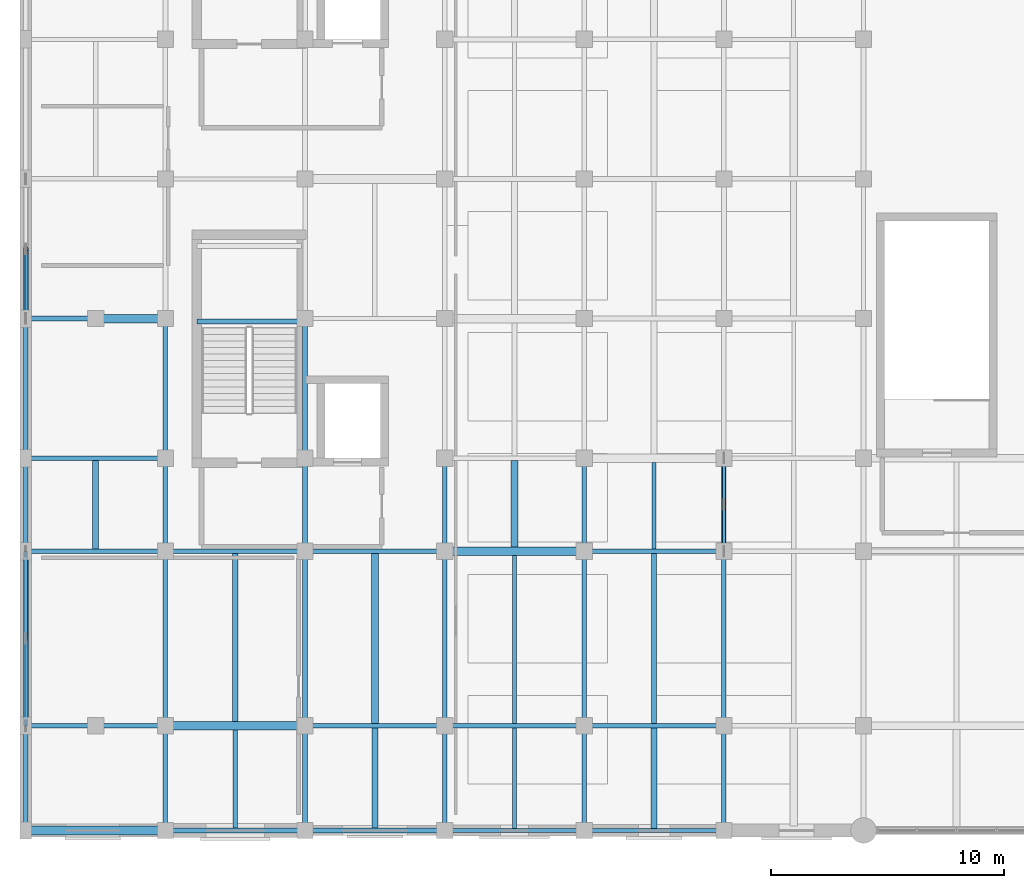
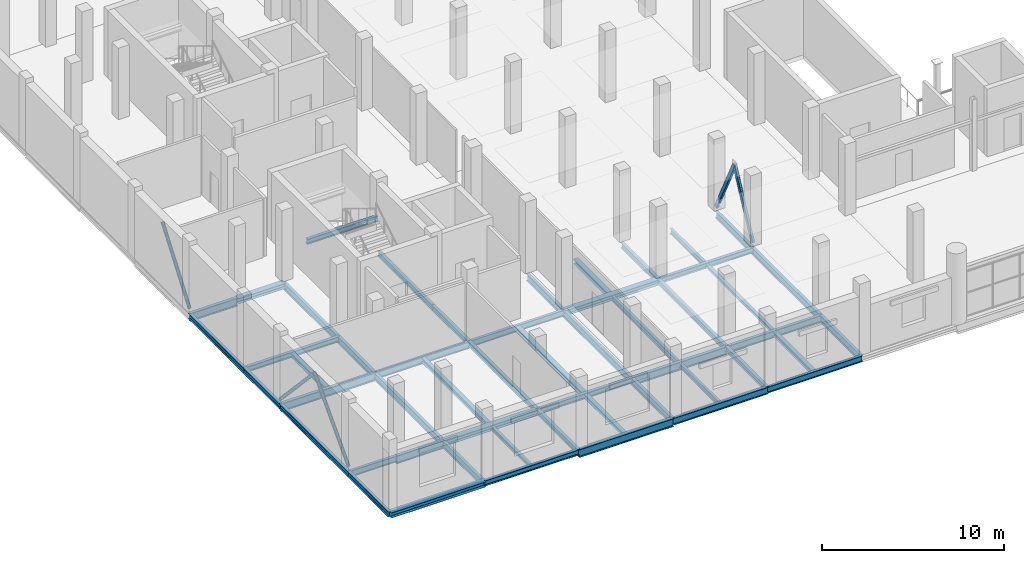
# One storey, part 12 of 114: 52 beams, 5 members.
"""IFC4 building model written with IfcOpenShell, lengths in metres."""

from ifc_helpers import new_model, si_unit, direction, frame, origin, origin_2d, place, context, subcontext, project, spatial, hollow_rectangle, hollow_circle, i_section, extrude, material, material_profile, profile_set, type_object, element, save


model = new_model("IFC4")

# Units and contexts
model_context = context("Model", 3, precision=1e-05, world=origin(), true_north=direction((0.0, 1.0)))
body_context = subcontext(model_context, "Body", "Model", "MODEL_VIEW")
ifc_project = project(units=[si_unit("LENGTHUNIT", "METRE"), si_unit("AREAUNIT", "SQUARE_METRE"), si_unit("VOLUMEUNIT", "CUBIC_METRE"), si_unit("PLANEANGLEUNIT", "RADIAN"), si_unit("MASSUNIT", "GRAM", prefix="KILO")], contexts=[model_context])

# Site, building, storey
site_placement = place(None, origin())
site = spatial("IfcSite", under=ifc_project, at=site_placement, CompositionType="ELEMENT")
building_placement = place(site_placement, origin())
building = spatial("IfcBuilding", under=site, at=building_placement, Name="Verrall Gate Interchange", CompositionType="ELEMENT")
storey_placement = place(building_placement, frame((0.0, 0.0, 6.60009765625)))
storey = spatial("IfcBuildingStorey", under=building, at=storey_placement, Name="L02", CompositionType="ELEMENT", Elevation=6.60009765625)

# Beams
ifc_material_1 = material(Name="Structural Steel CSA G40.21 350W", Category="steel")
ifc_material_profile_1 = material_profile(ifc_material_1, i_section(OverallWidth=0.2109375, OverallDepth=0.5390625, WebThickness=0.01171875, FlangeThickness=0.018798828125, FilletRadius=0.013916015625, at=origin_2d()), Name="W530x109")
ifc_profile_set_1 = profile_set([ifc_material_profile_1], Name="Structural Steel CSA G40.21 350W")
beam_type_1 = type_object("IfcBeamType", Name="B-10 Structural Beam W530x109", PredefinedType="BEAM", material=ifc_profile_set_1)
beam_1_placement = place(storey_placement, frame((12.0, 0.0, -0.549560546875), z_axis=(1.0, 0.0, 0.0), x_axis=(0.0, 1.0, 0.0)))
element("IfcBeam", 1, at=beam_1_placement, inside=storey, type_object=beam_type_1, Name="L02 Girder BM-L02-1437 (B-10)", PredefinedType="BEAM", context=body_context, shape_type="SweptSolid", body=[
    extrude(i_section(OverallWidth=0.2109375, OverallDepth=0.5390625, WebThickness=0.01171875, FlangeThickness=0.018798828125, FilletRadius=0.013916015625, at=origin_2d()), origin(), (0.0, 0.0, 1.0), 6.0),
])
beam_2_placement = place(storey_placement, frame((3.0, 4.5, -0.549560546875), z_axis=(1.0, 0.0, 0.0), x_axis=(0.0, 1.0, 0.0)))
element("IfcBeam", 2, at=beam_2_placement, inside=storey, type_object=beam_type_1, Name="L02 Girder BM-L02-1451 (B-10)", PredefinedType="BEAM", context=body_context, shape_type="SweptSolid", body=[
    extrude(i_section(OverallWidth=0.2109375, OverallDepth=0.5390625, WebThickness=0.01171875, FlangeThickness=0.018798828125, FilletRadius=0.013916015625, at=origin_2d()), origin(), (0.0, 0.0, 1.0), 3.0),
])
for number, where, z_axis, x_axis, name in (
    (3, (18.0, 4.5, -0.549560546875), (1.0, 0.0, 0.0), (0.0, 1.0, 0.0), "L02 Girder BM-L02-1454 (B-10)"),
    (4, (0.0, 12.0, -0.549560546875), (1.0, 0.0, 0.0), (0.0, 1.0, 0.0), "L02 Girder BM-L02-1466 (B-10)"),
):
    element("IfcBeam", number, at=place(storey_placement, frame(where, z_axis=z_axis, x_axis=x_axis)), inside=storey, type_object=beam_type_1, Name=name, PredefinedType="BEAM", context=body_context, shape_type="SweptSolid", body=[
        extrude(i_section(OverallWidth=0.2109375, OverallDepth=0.5390625, WebThickness=0.01171875, FlangeThickness=0.018798828125, FilletRadius=0.013916015625, at=origin_2d()), origin(), (0.0, 0.0, 1.0), 6.0),
    ])
beam_3_placement = place(storey_placement, frame((0.0, 22.0, -0.549560546875), z_axis=(1.0, 0.0, 0.0), x_axis=(0.0, 1.0, 0.0)))
element("IfcBeam", 5, at=beam_3_placement, inside=storey, type_object=beam_type_1, Name="L02 Girder BM-L02-1504 (B-10)", PredefinedType="BEAM", context=body_context, shape_type="SweptSolid", body=[
    extrude(i_section(OverallWidth=0.2109375, OverallDepth=0.5390625, WebThickness=0.01171875, FlangeThickness=0.018798828125, FilletRadius=0.013916015625, at=origin_2d()), origin(), (0.0, 0.0, 1.0), 3.0),
])
ifc_material_2 = material(Name="Structural Steel CSA G40.21 350W", Category="steel")
ifc_material_profile_2 = material_profile(ifc_material_2, i_section(OverallWidth=0.19189453125, OverallDepth=0.462890625, WebThickness=0.010498046875, FlangeThickness=0.017578125, FilletRadius=0.012939453125, at=origin_2d()), Name="W460x89")
ifc_profile_set_2 = profile_set([ifc_material_profile_2], Name="Structural Steel CSA G40.21 350W")
beam_type_2 = type_object("IfcBeamType", Name="B-11 Structural Beam W460x89", PredefinedType="BEAM", material=ifc_profile_set_2)
for number, where, z_axis, x_axis, name in (
    (6, (18.0, 0.0, -0.51171875), (1.0, 0.0, 0.0), (0.0, 1.0, 0.0), "L02 Girder BM-L02-1438 (B-11)"),
    (7, (24.0, 4.5, -0.51171875), (1.0, 0.0, 0.0), (0.0, 1.0, 0.0), "L02 Girder BM-L02-1455 (B-11)"),
    (8, (6.0, 12.0, -0.51171875), (1.0, 0.0, 0.0), (0.0, 1.0, 0.0), "L02 Girder BM-L02-1467 (B-11)"),
):
    element("IfcBeam", number, at=place(storey_placement, frame(where, z_axis=z_axis, x_axis=x_axis)), inside=storey, type_object=beam_type_2, Name=name, PredefinedType="BEAM", context=body_context, shape_type="SweptSolid", body=[
        extrude(i_section(OverallWidth=0.19189453125, OverallDepth=0.462890625, WebThickness=0.010498046875, FlangeThickness=0.017578125, FilletRadius=0.012939453125, at=origin_2d()), origin(), (0.0, 0.0, 1.0), 6.0),
    ])
beam_4_placement = place(storey_placement, frame((6.0, 0.0, -0.51171875), z_axis=(0.0, 1.0, 0.0), x_axis=(-1.0, 0.0, 0.0)))
element("IfcBeam", 9, at=beam_4_placement, inside=storey, type_object=beam_type_2, Name="L02 Girder BM-L02-1648 (B-11)", PredefinedType="BEAM", context=body_context, shape_type="SweptSolid", body=[
    extrude(i_section(OverallWidth=0.19189453125, OverallDepth=0.462890625, WebThickness=0.010498046875, FlangeThickness=0.017578125, FilletRadius=0.012939453125, at=origin_2d()), origin(), (0.0, 0.0, 1.0), 4.5),
])
beam_5_placement = place(storey_placement, frame((6.0, 4.5, -0.51171875), z_axis=(0.0, 1.0, 0.0), x_axis=(-1.0, 0.0, 0.0)))
element("IfcBeam", 10, at=beam_5_placement, inside=storey, type_object=beam_type_2, Name="L02 Girder BM-L02-1649 (B-11)", PredefinedType="BEAM", context=body_context, shape_type="SweptSolid", body=[
    extrude(i_section(OverallWidth=0.19189453125, OverallDepth=0.462890625, WebThickness=0.010498046875, FlangeThickness=0.017578125, FilletRadius=0.012939453125, at=origin_2d()), origin(), (0.0, 0.0, 1.0), 7.5),
])
beam_6_placement = place(storey_placement, frame((6.0, 12.0, -0.51171875), z_axis=(0.0, 1.0, 0.0), x_axis=(-1.0, 0.0, 0.0)))
element("IfcBeam", 11, at=beam_6_placement, inside=storey, type_object=beam_type_2, Name="L02 Girder BM-L02-1650 (B-11)", PredefinedType="BEAM", context=body_context, shape_type="SweptSolid", body=[
    extrude(i_section(OverallWidth=0.19189453125, OverallDepth=0.462890625, WebThickness=0.010498046875, FlangeThickness=0.017578125, FilletRadius=0.012939453125, at=origin_2d()), origin(), (0.0, 0.0, 1.0), 4.0),
])
beam_7_placement = place(storey_placement, frame((6.0, 16.0, -0.51171875), z_axis=(0.0, 1.0, 0.0), x_axis=(-1.0, 0.0, 0.0)))
element("IfcBeam", 12, at=beam_7_placement, inside=storey, type_object=beam_type_2, Name="L02 Girder BM-L02-1651 (B-11)", PredefinedType="BEAM", context=body_context, shape_type="SweptSolid", body=[
    extrude(i_section(OverallWidth=0.19189453125, OverallDepth=0.462890625, WebThickness=0.010498046875, FlangeThickness=0.017578125, FilletRadius=0.012939453125, at=origin_2d()), origin(), (0.0, 0.0, 1.0), 6.0),
])
beam_8_placement = place(storey_placement, frame((18.0, 0.0, -0.51171875), z_axis=(0.0, 1.0, 0.0), x_axis=(-1.0, 0.0, 0.0)))
element("IfcBeam", 13, at=beam_8_placement, inside=storey, type_object=beam_type_2, Name="L02 Girder BM-L02-1676 (B-11)", PredefinedType="BEAM", context=body_context, shape_type="SweptSolid", body=[
    extrude(i_section(OverallWidth=0.19189453125, OverallDepth=0.462890625, WebThickness=0.010498046875, FlangeThickness=0.017578125, FilletRadius=0.012939453125, at=origin_2d()), origin(), (0.0, 0.0, 1.0), 4.5),
])
beam_9_placement = place(storey_placement, frame((18.0, 4.5, -0.51171875), z_axis=(0.0, 1.0, 0.0), x_axis=(-1.0, 0.0, 0.0)))
element("IfcBeam", 14, at=beam_9_placement, inside=storey, type_object=beam_type_2, Name="L02 Girder BM-L02-1677 (B-11)", PredefinedType="BEAM", context=body_context, shape_type="SweptSolid", body=[
    extrude(i_section(OverallWidth=0.19189453125, OverallDepth=0.462890625, WebThickness=0.010498046875, FlangeThickness=0.017578125, FilletRadius=0.012939453125, at=origin_2d()), origin(), (0.0, 0.0, 1.0), 7.5),
])
beam_10_placement = place(storey_placement, frame((18.0, 12.0, -0.51171875), z_axis=(0.0, 1.0, 0.0), x_axis=(-1.0, 0.0, 0.0)))
element("IfcBeam", 15, at=beam_10_placement, inside=storey, type_object=beam_type_2, Name="L02 Girder BM-L02-1678 (B-11)", PredefinedType="BEAM", context=body_context, shape_type="SweptSolid", body=[
    extrude(i_section(OverallWidth=0.19189453125, OverallDepth=0.462890625, WebThickness=0.010498046875, FlangeThickness=0.017578125, FilletRadius=0.012939453125, at=origin_2d()), origin(), (0.0, 0.0, 1.0), 4.0),
])
beam_11_placement = place(storey_placement, frame((30.0, 0.0, -0.51171875), z_axis=(0.0, 1.0, 0.0), x_axis=(-1.0, 0.0, 0.0)))
element("IfcBeam", 16, at=beam_11_placement, inside=storey, type_object=beam_type_2, Name="L02 Girder BM-L02-1704 (B-11)", PredefinedType="BEAM", context=body_context, shape_type="SweptSolid", body=[
    extrude(i_section(OverallWidth=0.19189453125, OverallDepth=0.462890625, WebThickness=0.010498046875, FlangeThickness=0.017578125, FilletRadius=0.012939453125, at=origin_2d()), origin(), (0.0, 0.0, 1.0), 4.5),
])
beam_12_placement = place(storey_placement, frame((30.0, 4.5, -0.51171875), z_axis=(0.0, 1.0, 0.0), x_axis=(-1.0, 0.0, 0.0)))
element("IfcBeam", 17, at=beam_12_placement, inside=storey, type_object=beam_type_2, Name="L02 Girder BM-L02-1705 (B-11)", PredefinedType="BEAM", context=body_context, shape_type="SweptSolid", body=[
    extrude(i_section(OverallWidth=0.19189453125, OverallDepth=0.462890625, WebThickness=0.010498046875, FlangeThickness=0.017578125, FilletRadius=0.012939453125, at=origin_2d()), origin(), (0.0, 0.0, 1.0), 7.5),
])
beam_13_placement = place(storey_placement, frame((30.0, 12.0, -0.51171875), z_axis=(0.0, 1.0, 0.0), x_axis=(-1.0, 0.0, 0.0)))
element("IfcBeam", 18, at=beam_13_placement, inside=storey, type_object=beam_type_2, Name="L02 Girder BM-L02-1706 (B-11)", PredefinedType="BEAM", context=body_context, shape_type="SweptSolid", body=[
    extrude(i_section(OverallWidth=0.19189453125, OverallDepth=0.462890625, WebThickness=0.010498046875, FlangeThickness=0.017578125, FilletRadius=0.012939453125, at=origin_2d()), origin(), (0.0, 0.0, 1.0), 4.0),
])
ifc_material_3 = material(Name="Structural Steel CSA G40.21 350W", Category="steel")
ifc_material_profile_3 = material_profile(ifc_material_3, i_section(OverallWidth=0.178955078125, OverallDepth=0.409912109375, WebThickness=0.0087890625, FlangeThickness=0.014404296875, FilletRadius=0.011962890625, at=origin_2d()), Name="W410x67")
ifc_profile_set_3 = profile_set([ifc_material_profile_3], Name="Structural Steel CSA G40.21 350W")
beam_type_3 = type_object("IfcBeamType", Name="B-12 Structural Beam W410x67", PredefinedType="BEAM", material=ifc_profile_set_3)
beam_14_placement = place(storey_placement, frame((24.0, 0.0, -0.485107421875), z_axis=(1.0, 0.0, 0.0), x_axis=(0.0, 1.0, 0.0)))
element("IfcBeam", 19, at=beam_14_placement, inside=storey, type_object=beam_type_3, Name="L02 Girder BM-L02-1439 (B-12)", PredefinedType="BEAM", context=body_context, shape_type="SweptSolid", body=[
    extrude(i_section(OverallWidth=0.178955078125, OverallDepth=0.409912109375, WebThickness=0.0087890625, FlangeThickness=0.014404296875, FilletRadius=0.011962890625, at=origin_2d()), origin(), (0.0, 0.0, 1.0), 6.0),
])
beam_15_placement = place(storey_placement, frame((0.0, 4.5, -0.485107421875), z_axis=(1.0, 0.0, 0.0), x_axis=(0.0, 1.0, 0.0)))
element("IfcBeam", 20, at=beam_15_placement, inside=storey, type_object=beam_type_3, Name="L02 Girder BM-L02-1450 (B-12)", PredefinedType="BEAM", context=body_context, shape_type="SweptSolid", body=[
    extrude(i_section(OverallWidth=0.178955078125, OverallDepth=0.409912109375, WebThickness=0.0087890625, FlangeThickness=0.014404296875, FilletRadius=0.011962890625, at=origin_2d()), origin(), (0.0, 0.0, 1.0), 3.0),
])
beam_16_placement = place(storey_placement, frame((12.0, 12.0, -0.485107421875), z_axis=(1.0, 0.0, 0.0), x_axis=(0.0, 1.0, 0.0)))
element("IfcBeam", 21, at=beam_16_placement, inside=storey, type_object=beam_type_3, Name="L02 Girder BM-L02-1468 (B-12)", PredefinedType="BEAM", context=body_context, shape_type="SweptSolid", body=[
    extrude(i_section(OverallWidth=0.178955078125, OverallDepth=0.409912109375, WebThickness=0.0087890625, FlangeThickness=0.014404296875, FilletRadius=0.011962890625, at=origin_2d()), origin(), (0.0, 0.0, 1.0), 6.0),
])
ifc_material_4 = material(Name="Structural Steel CSA G40.21 350W", Category="steel")
ifc_material_profile_4 = material_profile(ifc_material_4, i_section(OverallWidth=0.368896484375, OverallDepth=0.35595703125, WebThickness=0.01123046875, FlangeThickness=0.01806640625, FilletRadius=0.014892578125, at=origin_2d()), Name="W360x134")
ifc_profile_set_4 = profile_set([ifc_material_profile_4], Name="Structural Steel CSA G40.21 350W")
beam_type_4 = type_object("IfcBeamType", Name="B-13 Structural Beam W360x134", PredefinedType="BEAM", material=ifc_profile_set_4)
for number, where, z_axis, x_axis, name in (
    (22, (0.0, 0.0, -0.4580078125), (1.0, 0.0, 0.0), (0.0, 1.0, 0.0), "L02 Girder BM-L02-1435 (B-13)"),
    (23, (6.0, 4.5, -0.4580078125), (1.0, 0.0, 0.0), (0.0, 1.0, 0.0), "L02 Girder BM-L02-1452 (B-13)"),
    (24, (18.0, 12.0, -0.4580078125), (1.0, 0.0, 0.0), (0.0, 1.0, 0.0), "L02 Girder BM-L02-1469 (B-13)"),
):
    element("IfcBeam", number, at=place(storey_placement, frame(where, z_axis=z_axis, x_axis=x_axis)), inside=storey, type_object=beam_type_4, Name=name, PredefinedType="BEAM", context=body_context, shape_type="SweptSolid", body=[
        extrude(i_section(OverallWidth=0.368896484375, OverallDepth=0.35595703125, WebThickness=0.01123046875, FlangeThickness=0.01806640625, FilletRadius=0.014892578125, at=origin_2d()), origin(), (0.0, 0.0, 1.0), 6.0),
    ])
beam_17_placement = place(storey_placement, frame((3.0, 22.0, -0.4580078125), z_axis=(1.0, 0.0, 0.0), x_axis=(0.0, 1.0, 0.0)))
element("IfcBeam", 25, at=beam_17_placement, inside=storey, type_object=beam_type_4, Name="L02 Girder BM-L02-1505 (B-13)", PredefinedType="BEAM", context=body_context, shape_type="SweptSolid", body=[
    extrude(i_section(OverallWidth=0.368896484375, OverallDepth=0.35595703125, WebThickness=0.01123046875, FlangeThickness=0.01806640625, FilletRadius=0.014892578125, at=origin_2d()), origin(), (0.0, 0.0, 1.0), 3.0),
])
ifc_material_5 = material(Name="Structural Steel CSA G40.21 350W", Category="steel")
ifc_material_profile_5 = material_profile(ifc_material_5, i_section(OverallWidth=0.205078125, OverallDepth=0.35400390625, WebThickness=0.009521484375, FlangeThickness=0.016845703125, FilletRadius=0.012939453125, at=origin_2d()), Name="W360x79")
ifc_profile_set_5 = profile_set([ifc_material_profile_5], Name="Structural Steel CSA G40.21 350W")
beam_type_5 = type_object("IfcBeamType", Name="B-14 Structural Beam W360x79", PredefinedType="BEAM", material=ifc_profile_set_5)
for number, where, z_axis, x_axis, name in (
    (26, (6.0, 0.0, -0.45703125), (1.0, 0.0, 0.0), (0.0, 1.0, 0.0), "L02 Girder BM-L02-1436 (B-14)"),
    (27, (12.0, 4.5, -0.45703125), (1.0, 0.0, 0.0), (0.0, 1.0, 0.0), "L02 Girder BM-L02-1453 (B-14)"),
    (28, (24.0, 12.0, -0.45703125), (1.0, 0.0, 0.0), (0.0, 1.0, 0.0), "L02 Girder BM-L02-1470 (B-14)"),
    (29, (0.0, 16.0, -0.45703125), (1.0, 0.0, 0.0), (0.0, 1.0, 0.0), "L02 Girder BM-L02-1487 (B-14)"),
):
    element("IfcBeam", number, at=place(storey_placement, frame(where, z_axis=z_axis, x_axis=x_axis)), inside=storey, type_object=beam_type_5, Name=name, PredefinedType="BEAM", context=body_context, shape_type="SweptSolid", body=[
        extrude(i_section(OverallWidth=0.205078125, OverallDepth=0.35400390625, WebThickness=0.009521484375, FlangeThickness=0.016845703125, FilletRadius=0.012939453125, at=origin_2d()), origin(), (0.0, 0.0, 1.0), 6.0),
    ])
beam_18_placement = place(storey_placement, frame((0.0, 0.0, -0.45703125), z_axis=(0.0, 1.0, 0.0), x_axis=(-1.0, 0.0, 0.0)))
element("IfcBeam", 30, at=beam_18_placement, inside=storey, type_object=beam_type_5, Name="L02 Girder BM-L02-1633 (B-14)", PredefinedType="BEAM", context=body_context, shape_type="SweptSolid", body=[
    extrude(i_section(OverallWidth=0.205078125, OverallDepth=0.35400390625, WebThickness=0.009521484375, FlangeThickness=0.016845703125, FilletRadius=0.012939453125, at=origin_2d()), origin(), (0.0, 0.0, 1.0), 4.5),
])
beam_19_placement = place(storey_placement, frame((0.0, 4.5, -0.45703125), z_axis=(0.0, 1.0, 0.0), x_axis=(-1.0, 0.0, 0.0)))
element("IfcBeam", 31, at=beam_19_placement, inside=storey, type_object=beam_type_5, Name="L02 Girder BM-L02-1634 (B-14)", PredefinedType="BEAM", context=body_context, shape_type="SweptSolid", body=[
    extrude(i_section(OverallWidth=0.205078125, OverallDepth=0.35400390625, WebThickness=0.009521484375, FlangeThickness=0.016845703125, FilletRadius=0.012939453125, at=origin_2d()), origin(), (0.0, 0.0, 1.0), 7.5),
])
beam_20_placement = place(storey_placement, frame((0.0, 12.0, -0.45703125), z_axis=(0.0, 1.0, 0.0), x_axis=(-1.0, 0.0, 0.0)))
element("IfcBeam", 32, at=beam_20_placement, inside=storey, type_object=beam_type_5, Name="L02 Girder BM-L02-1635 (B-14)", PredefinedType="BEAM", context=body_context, shape_type="SweptSolid", body=[
    extrude(i_section(OverallWidth=0.205078125, OverallDepth=0.35400390625, WebThickness=0.009521484375, FlangeThickness=0.016845703125, FilletRadius=0.012939453125, at=origin_2d()), origin(), (0.0, 0.0, 1.0), 4.0),
])
beam_21_placement = place(storey_placement, frame((0.0, 16.0, -0.45703125), z_axis=(0.0, 1.0, 0.0), x_axis=(-1.0, 0.0, 0.0)))
element("IfcBeam", 33, at=beam_21_placement, inside=storey, type_object=beam_type_5, Name="L02 Girder BM-L02-1636 (B-14)", PredefinedType="BEAM", context=body_context, shape_type="SweptSolid", body=[
    extrude(i_section(OverallWidth=0.205078125, OverallDepth=0.35400390625, WebThickness=0.009521484375, FlangeThickness=0.016845703125, FilletRadius=0.012939453125, at=origin_2d()), origin(), (0.0, 0.0, 1.0), 6.0),
])
beam_22_placement = place(storey_placement, frame((12.0, 0.0, -0.45703125), z_axis=(0.0, 1.0, 0.0), x_axis=(-1.0, 0.0, 0.0)))
element("IfcBeam", 34, at=beam_22_placement, inside=storey, type_object=beam_type_5, Name="L02 Girder BM-L02-1662 (B-14)", PredefinedType="BEAM", context=body_context, shape_type="SweptSolid", body=[
    extrude(i_section(OverallWidth=0.205078125, OverallDepth=0.35400390625, WebThickness=0.009521484375, FlangeThickness=0.016845703125, FilletRadius=0.012939453125, at=origin_2d()), origin(), (0.0, 0.0, 1.0), 4.5),
])
beam_23_placement = place(storey_placement, frame((12.0, 4.5, -0.45703125), z_axis=(0.0, 1.0, 0.0), x_axis=(-1.0, 0.0, 0.0)))
element("IfcBeam", 35, at=beam_23_placement, inside=storey, type_object=beam_type_5, Name="L02 Girder BM-L02-1663 (B-14)", PredefinedType="BEAM", context=body_context, shape_type="SweptSolid", body=[
    extrude(i_section(OverallWidth=0.205078125, OverallDepth=0.35400390625, WebThickness=0.009521484375, FlangeThickness=0.016845703125, FilletRadius=0.012939453125, at=origin_2d()), origin(), (0.0, 0.0, 1.0), 7.5),
])
beam_24_placement = place(storey_placement, frame((12.0, 12.0, -0.45703125), z_axis=(0.0, 1.0, 0.0), x_axis=(-1.0, 0.0, 0.0)))
element("IfcBeam", 36, at=beam_24_placement, inside=storey, type_object=beam_type_5, Name="L02 Girder BM-L02-1664 (B-14)", PredefinedType="BEAM", context=body_context, shape_type="SweptSolid", body=[
    extrude(i_section(OverallWidth=0.205078125, OverallDepth=0.35400390625, WebThickness=0.009521484375, FlangeThickness=0.016845703125, FilletRadius=0.012939453125, at=origin_2d()), origin(), (0.0, 0.0, 1.0), 4.0),
])
beam_25_placement = place(storey_placement, frame((12.0, 16.0, -0.45703125), z_axis=(0.0, 1.0, 0.0), x_axis=(-1.0, 0.0, 0.0)))
element("IfcBeam", 37, at=beam_25_placement, inside=storey, type_object=beam_type_5, Name="L02 Girder BM-L02-1665 (B-14)", PredefinedType="BEAM", context=body_context, shape_type="SweptSolid", body=[
    extrude(i_section(OverallWidth=0.205078125, OverallDepth=0.35400390625, WebThickness=0.009521484375, FlangeThickness=0.016845703125, FilletRadius=0.012939453125, at=origin_2d()), origin(), (0.0, 0.0, 1.0), 6.0),
])
beam_26_placement = place(storey_placement, frame((24.0, 0.0, -0.45703125), z_axis=(0.0, 1.0, 0.0), x_axis=(-1.0, 0.0, 0.0)))
element("IfcBeam", 38, at=beam_26_placement, inside=storey, type_object=beam_type_5, Name="L02 Girder BM-L02-1690 (B-14)", PredefinedType="BEAM", context=body_context, shape_type="SweptSolid", body=[
    extrude(i_section(OverallWidth=0.205078125, OverallDepth=0.35400390625, WebThickness=0.009521484375, FlangeThickness=0.016845703125, FilletRadius=0.012939453125, at=origin_2d()), origin(), (0.0, 0.0, 1.0), 4.5),
])
beam_27_placement = place(storey_placement, frame((24.0, 4.5, -0.45703125), z_axis=(0.0, 1.0, 0.0), x_axis=(-1.0, 0.0, 0.0)))
element("IfcBeam", 39, at=beam_27_placement, inside=storey, type_object=beam_type_5, Name="L02 Girder BM-L02-1691 (B-14)", PredefinedType="BEAM", context=body_context, shape_type="SweptSolid", body=[
    extrude(i_section(OverallWidth=0.205078125, OverallDepth=0.35400390625, WebThickness=0.009521484375, FlangeThickness=0.016845703125, FilletRadius=0.012939453125, at=origin_2d()), origin(), (0.0, 0.0, 1.0), 7.5),
])
beam_28_placement = place(storey_placement, frame((24.0, 12.0, -0.45703125), z_axis=(0.0, 1.0, 0.0), x_axis=(-1.0, 0.0, 0.0)))
element("IfcBeam", 40, at=beam_28_placement, inside=storey, type_object=beam_type_5, Name="L02 Girder BM-L02-1692 (B-14)", PredefinedType="BEAM", context=body_context, shape_type="SweptSolid", body=[
    extrude(i_section(OverallWidth=0.205078125, OverallDepth=0.35400390625, WebThickness=0.009521484375, FlangeThickness=0.016845703125, FilletRadius=0.012939453125, at=origin_2d()), origin(), (0.0, 0.0, 1.0), 4.0),
])
beam_29_placement = place(storey_placement, frame((7.35009765625, 21.8701171875, 2.02978515625), z_axis=(1.0, 0.0, 0.0), x_axis=(0.0, 1.0, 0.0)))
element("IfcBeam", 41, at=beam_29_placement, inside=storey, type_object=beam_type_5, Name="L02 Core C1 Mid-Landing Beam 1", PredefinedType="BEAM", context=body_context, shape_type="SweptSolid", body=[
    extrude(i_section(OverallWidth=0.205078125, OverallDepth=0.35400390625, WebThickness=0.009521484375, FlangeThickness=0.016845703125, FilletRadius=0.012939453125, at=origin_2d()), origin(), (0.0, 0.0, 1.0), 4.5),
])

# Members
ifc_material_6 = material(Name="Structural Steel CSA G40.21 350W", Category="steel")
ifc_material_profile_6 = material_profile(ifc_material_6, hollow_circle(Radius=0.109619140625, WallThickness=0.008056640625, at=origin_2d()), Name="HSS219x8.0")
ifc_profile_set_6 = profile_set([ifc_material_profile_6], Name="Structural Steel CSA G40.21 350W")
member_type_1 = type_object("IfcMemberType", Name="BR-02 Diagonal Brace HSS219x8.0", PredefinedType="BRACE", material=ifc_profile_set_6)
for number, where, z_axis, x_axis, name in (
    (42, (0.0, 4.5, 0.0), (0.0, 0.682122024566, 0.731238363054), (-1.0, 0.0, 0.0), "Chevron Brace CBF1 L02 Leg A"),
    (43, (0.0, 12.0, 0.0), (0.0, -0.682122024566, 0.731238363054), (1.0, 0.0, 0.0), "Chevron Brace CBF1 L02 Leg B"),
):
    element("IfcMember", number, at=place(storey_placement, frame(where, z_axis=z_axis, x_axis=x_axis)), inside=storey, type_object=member_type_1, Name=name, PredefinedType="BRACE", context=body_context, shape_type="SweptSolid", body=[
        extrude(hollow_circle(Radius=0.109619140625, WallThickness=0.008056640625, at=origin_2d()), origin(), (0.0, 0.0, 1.0), 5.49755859375),
    ])
member_placement = place(storey_placement, frame((0.0, 22.0, 0.0), z_axis=(0.0, 0.598082546513, 0.801434506093), x_axis=(-1.0, 0.0, 0.0)))
element("IfcMember", 44, at=member_placement, inside=storey, type_object=member_type_1, Name="Chevron Brace CBF2 L02 Leg A", PredefinedType="BRACE", context=body_context, shape_type="SweptSolid", body=[
    extrude(hollow_circle(Radius=0.109619140625, WallThickness=0.008056640625, at=origin_2d()), origin(), (0.0, 0.0, 1.0), 5.01611328125),
])
ifc_material_7 = material(Name="Structural Steel CSA G40.21 350W", Category="steel")
ifc_material_profile_7 = material_profile(ifc_material_7, hollow_rectangle(XDim=0.152099609375, YDim=0.25390625, WallThickness=0.009521484375, InnerFilletRadius=0.009521484375, OuterFilletRadius=0.01904296875, at=origin_2d()), Name="HSS254x152x9.5")
ifc_profile_set_7 = profile_set([ifc_material_profile_7], Name="Structural Steel CSA G40.21 350W")
member_type_2 = type_object("IfcMemberType", Name="BR-05 Diagonal Brace HSS254x152x9.5", PredefinedType="BRACE", material=ifc_profile_set_7)
for number, where, z_axis, x_axis, name in (
    (45, (30.0, 12.0, 0.0), (0.0, 0.445429249505, 0.8953171414), (-1.0, 0.0, 0.0), "Chevron Brace CBF5 L02 Leg A"),
    (46, (30.0, 16.0, 0.0), (0.0, -0.445429249505, 0.8953171414), (1.0, 0.0, 0.0), "Chevron Brace CBF5 L02 Leg B"),
):
    element("IfcMember", number, at=place(storey_placement, frame(where, z_axis=z_axis, x_axis=x_axis)), inside=storey, type_object=member_type_2, Name=name, PredefinedType="BRACE", context=body_context, shape_type="SweptSolid", body=[
        extrude(hollow_rectangle(XDim=0.152099609375, YDim=0.25390625, WallThickness=0.009521484375, InnerFilletRadius=0.009521484375, OuterFilletRadius=0.01904296875, at=origin_2d()), origin(), (0.0, 0.0, 1.0), 4.489990234375),
    ])

# Beams
ifc_material_8 = material(Name="Structural Steel CSA G40.21 350W", Category="steel")
ifc_material_profile_8 = material_profile(ifc_material_8, i_section(OverallWidth=0.172119140625, OverallDepth=0.35791015625, WebThickness=0.0078125, FlangeThickness=0.01318359375, FilletRadius=0.010986328125, at=origin_2d()), Name="W360x57")
ifc_profile_set_8 = profile_set([ifc_material_profile_8], Name="Structural Steel CSA G40.21 350W")
beam_type_6 = type_object("IfcBeamType", Name="J-01 Floor Joist W360x57", PredefinedType="JOIST", material=ifc_profile_set_8)
beam_30_placement = place(storey_placement, frame((21.0, 4.60546875, -0.458984375), z_axis=(0.0, 1.0, 0.0), x_axis=(-1.0, 0.0, 0.0)))
element("IfcBeam", 47, at=beam_30_placement, inside=storey, type_object=beam_type_6, Name="L02 Secondary Floor Joist JST-L02-1855", PredefinedType="JOIST", context=body_context, shape_type="SweptSolid", body=[
    extrude(i_section(OverallWidth=0.172119140625, OverallDepth=0.35791015625, WebThickness=0.0078125, FlangeThickness=0.01318359375, FilletRadius=0.010986328125, at=origin_2d()), origin(), (0.0, 0.0, 1.0), 7.2099609375),
])
beam_31_placement = place(storey_placement, frame((27.0, 12.1025390625, -0.458984375), z_axis=(0.0, 1.0, 0.0), x_axis=(-1.0, 0.0, 0.0)))
element("IfcBeam", 48, at=beam_31_placement, inside=storey, type_object=beam_type_6, Name="L02 Secondary Floor Joist JST-L02-1869", PredefinedType="JOIST", context=body_context, shape_type="SweptSolid", body=[
    extrude(i_section(OverallWidth=0.172119140625, OverallDepth=0.35791015625, WebThickness=0.0078125, FlangeThickness=0.01318359375, FilletRadius=0.010986328125, at=origin_2d()), origin(), (0.0, 0.0, 1.0), 3.712890625),
])
ifc_material_9 = material(Name="Structural Steel CSA G40.21 350W", Category="steel")
ifc_material_profile_9 = material_profile(ifc_material_9, i_section(OverallWidth=0.306884765625, OverallDepth=0.31396484375, WebThickness=0.011962890625, FlangeThickness=0.018798828125, FilletRadius=0.013916015625, at=origin_2d()), Name="W310x118")
ifc_profile_set_9 = profile_set([ifc_material_profile_9], Name="Structural Steel CSA G40.21 350W")
beam_type_7 = type_object("IfcBeamType", Name="J-02 Floor Joist W310x118", PredefinedType="JOIST", material=ifc_profile_set_9)
beam_32_placement = place(storey_placement, frame((15.0, 4.6025390625, -0.43701171875), z_axis=(0.0, 1.0, 0.0), x_axis=(-1.0, 0.0, 0.0)))
element("IfcBeam", 49, at=beam_32_placement, inside=storey, type_object=beam_type_7, Name="L02 Secondary Floor Joist JST-L02-1854", PredefinedType="JOIST", context=body_context, shape_type="SweptSolid", body=[
    extrude(i_section(OverallWidth=0.306884765625, OverallDepth=0.31396484375, WebThickness=0.011962890625, FlangeThickness=0.018798828125, FilletRadius=0.013916015625, at=origin_2d()), origin(), (0.0, 0.0, 1.0), 7.307861328125),
])
beam_33_placement = place(storey_placement, frame((21.0, 12.1845703125, -0.43701171875), z_axis=(0.0, 1.0, 0.0), x_axis=(-1.0, 0.0, 0.0)))
element("IfcBeam", 50, at=beam_33_placement, inside=storey, type_object=beam_type_7, Name="L02 Secondary Floor Joist JST-L02-1868", PredefinedType="JOIST", context=body_context, shape_type="SweptSolid", body=[
    extrude(i_section(OverallWidth=0.306884765625, OverallDepth=0.31396484375, WebThickness=0.011962890625, FlangeThickness=0.018798828125, FilletRadius=0.013916015625, at=origin_2d()), origin(), (0.0, 0.0, 1.0), 3.725830078125),
])
ifc_material_10 = material(Name="Structural Steel CSA G40.21 350W", Category="steel")
ifc_material_profile_10 = material_profile(ifc_material_10, i_section(OverallWidth=0.25390625, OverallDepth=0.305908203125, WebThickness=0.0087890625, FlangeThickness=0.0146484375, FilletRadius=0.012939453125, at=origin_2d()), Name="W310x79")
ifc_profile_set_10 = profile_set([ifc_material_profile_10], Name="Structural Steel CSA G40.21 350W")
beam_type_8 = type_object("IfcBeamType", Name="J-03 Floor Joist W310x79", PredefinedType="JOIST", material=ifc_profile_set_10)
beam_34_placement = place(storey_placement, frame((27.0, 0.089599609375, -0.43310546875), z_axis=(0.0, 1.0, 0.0), x_axis=(-1.0, 0.0, 0.0)))
element("IfcBeam", 51, at=beam_34_placement, inside=storey, type_object=beam_type_8, Name="L02 Secondary Floor Joist JST-L02-1842", PredefinedType="JOIST", context=body_context, shape_type="SweptSolid", body=[
    extrude(i_section(OverallWidth=0.25390625, OverallDepth=0.305908203125, WebThickness=0.0087890625, FlangeThickness=0.0146484375, FilletRadius=0.012939453125, at=origin_2d()), origin(), (0.0, 0.0, 1.0), 4.314453125),
])
beam_35_placement = place(storey_placement, frame((9.0, 4.6845703125, -0.43310546875), z_axis=(0.0, 1.0, 0.0), x_axis=(-1.0, 0.0, 0.0)))
element("IfcBeam", 52, at=beam_35_placement, inside=storey, type_object=beam_type_8, Name="L02 Secondary Floor Joist JST-L02-1853", PredefinedType="JOIST", context=body_context, shape_type="SweptSolid", body=[
    extrude(i_section(OverallWidth=0.25390625, OverallDepth=0.305908203125, WebThickness=0.0087890625, FlangeThickness=0.0146484375, FilletRadius=0.012939453125, at=origin_2d()), origin(), (0.0, 0.0, 1.0), 7.219482421875),
])
ifc_material_11 = material(Name="Structural Steel CSA G40.21 350W", Category="steel")
ifc_material_profile_11 = material_profile(ifc_material_11, i_section(OverallWidth=0.1650390625, OverallDepth=0.31005859375, WebThickness=0.005859375, FlangeThickness=0.009765625, FilletRadius=0.010009765625, at=origin_2d()), Name="W310x39")
ifc_profile_set_11 = profile_set([ifc_material_profile_11], Name="Structural Steel CSA G40.21 350W")
beam_type_9 = type_object("IfcBeamType", Name="J-04 Floor Joist W310x39", PredefinedType="JOIST", material=ifc_profile_set_11)
beam_36_placement = place(storey_placement, frame((21.0, 0.095947265625, -0.43505859375), z_axis=(0.0, 1.0, 0.0), x_axis=(-1.0, 0.0, 0.0)))
element("IfcBeam", 53, at=beam_36_placement, inside=storey, type_object=beam_type_9, Name="L02 Secondary Floor Joist JST-L02-1841", PredefinedType="JOIST", context=body_context, shape_type="SweptSolid", body=[
    extrude(i_section(OverallWidth=0.1650390625, OverallDepth=0.31005859375, WebThickness=0.005859375, FlangeThickness=0.009765625, FilletRadius=0.010009765625, at=origin_2d()), origin(), (0.0, 0.0, 1.0), 4.298583984375),
])
ifc_material_12 = material(Name="Structural Steel CSA G40.21 350W", Category="steel")
ifc_material_profile_12 = material_profile(ifc_material_12, i_section(OverallWidth=0.25390625, OverallDepth=0.2529296875, WebThickness=0.008544921875, FlangeThickness=0.01416015625, FilletRadius=0.011962890625, at=origin_2d()), Name="W250x73")
ifc_profile_set_12 = profile_set([ifc_material_profile_12], Name="Structural Steel CSA G40.21 350W")
beam_type_10 = type_object("IfcBeamType", Name="J-05 Floor Joist W250x73", PredefinedType="JOIST", material=ifc_profile_set_12)
beam_37_placement = place(storey_placement, frame((15.0, 0.10546875, -0.406494140625), z_axis=(0.0, 1.0, 0.0), x_axis=(-1.0, 0.0, 0.0)))
element("IfcBeam", 54, at=beam_37_placement, inside=storey, type_object=beam_type_10, Name="L02 Secondary Floor Joist JST-L02-1840", PredefinedType="JOIST", context=body_context, shape_type="SweptSolid", body=[
    extrude(i_section(OverallWidth=0.25390625, OverallDepth=0.2529296875, WebThickness=0.008544921875, FlangeThickness=0.01416015625, FilletRadius=0.011962890625, at=origin_2d()), origin(), (0.0, 0.0, 1.0), 4.2919921875),
])
beam_38_placement = place(storey_placement, frame((3.0, 12.10546875, -0.406494140625), z_axis=(0.0, 1.0, 0.0), x_axis=(-1.0, 0.0, 0.0)))
element("IfcBeam", 55, at=beam_38_placement, inside=storey, type_object=beam_type_10, Name="L02 Secondary Floor Joist JST-L02-1867", PredefinedType="JOIST", context=body_context, shape_type="SweptSolid", body=[
    extrude(i_section(OverallWidth=0.25390625, OverallDepth=0.2529296875, WebThickness=0.008544921875, FlangeThickness=0.01416015625, FilletRadius=0.011962890625, at=origin_2d()), origin(), (0.0, 0.0, 1.0), 3.7919921875),
])
ifc_material_13 = material(Name="Structural Steel CSA G40.21 350W", Category="steel")
ifc_material_profile_13 = material_profile(ifc_material_13, i_section(OverallWidth=0.201904296875, OverallDepth=0.2470703125, WebThickness=0.00732421875, FlangeThickness=0.010986328125, FilletRadius=0.010986328125, at=origin_2d()), Name="W250x49")
ifc_profile_set_13 = profile_set([ifc_material_profile_13], Name="Structural Steel CSA G40.21 350W")
beam_type_11 = type_object("IfcBeamType", Name="J-06 Floor Joist W250x49", PredefinedType="JOIST", material=ifc_profile_set_13)
beam_39_placement = place(storey_placement, frame((9.0, 0.1025390625, -0.403564453125), z_axis=(0.0, 1.0, 0.0), x_axis=(-1.0, 0.0, 0.0)))
element("IfcBeam", 56, at=beam_39_placement, inside=storey, type_object=beam_type_11, Name="L02 Secondary Floor Joist JST-L02-1839", PredefinedType="JOIST", context=body_context, shape_type="SweptSolid", body=[
    extrude(i_section(OverallWidth=0.201904296875, OverallDepth=0.2470703125, WebThickness=0.00732421875, FlangeThickness=0.010986328125, FilletRadius=0.010986328125, at=origin_2d()), origin(), (0.0, 0.0, 1.0), 4.212890625),
])
ifc_material_14 = material(Name="Structural Steel CSA G40.21 350W", Category="steel")
ifc_material_profile_14 = material_profile(ifc_material_14, i_section(OverallWidth=0.202880859375, OverallDepth=0.202880859375, WebThickness=0.007080078125, FlangeThickness=0.010986328125, FilletRadius=0.010009765625, at=origin_2d()), Name="W200x46")
ifc_profile_set_14 = profile_set([ifc_material_profile_14], Name="Structural Steel CSA G40.21 350W")
beam_type_12 = type_object("IfcBeamType", Name="J-07 Floor Joist W200x46", PredefinedType="JOIST", material=ifc_profile_set_14)
beam_40_placement = place(storey_placement, frame((27.0, 4.595947265625, -0.381591796875), z_axis=(0.0, 1.0, 0.0), x_axis=(-1.0, 0.0, 0.0)))
element("IfcBeam", 57, at=beam_40_placement, inside=storey, type_object=beam_type_12, Name="L02 Secondary Floor Joist JST-L02-1856", PredefinedType="JOIST", context=body_context, shape_type="SweptSolid", body=[
    extrude(i_section(OverallWidth=0.202880859375, OverallDepth=0.202880859375, WebThickness=0.007080078125, FlangeThickness=0.010986328125, FilletRadius=0.010009765625, at=origin_2d()), origin(), (0.0, 0.0, 1.0), 7.301513671875),
])

save(model, "model.ifc")
